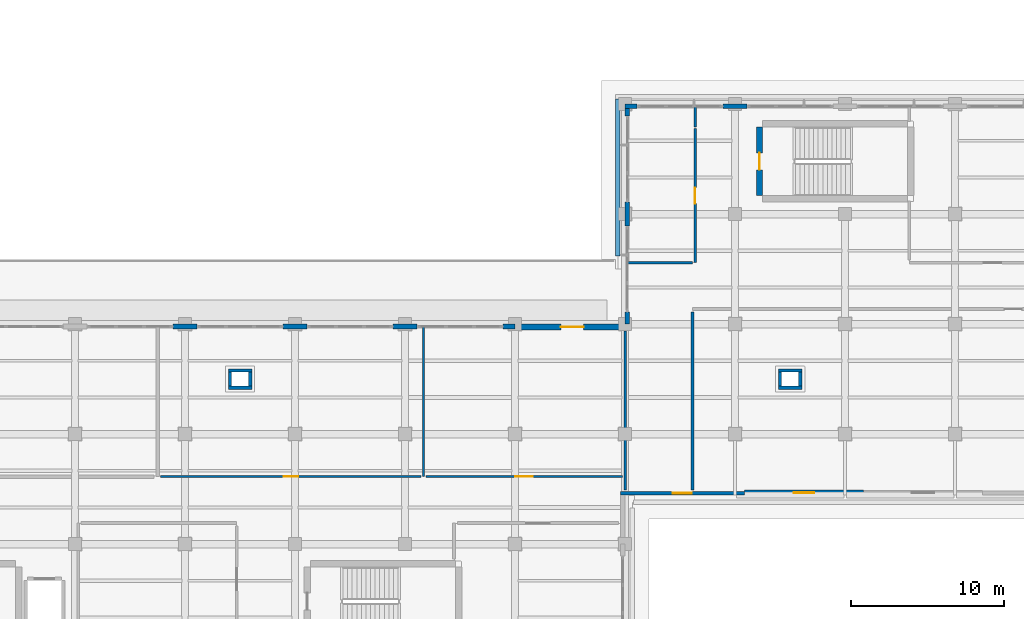
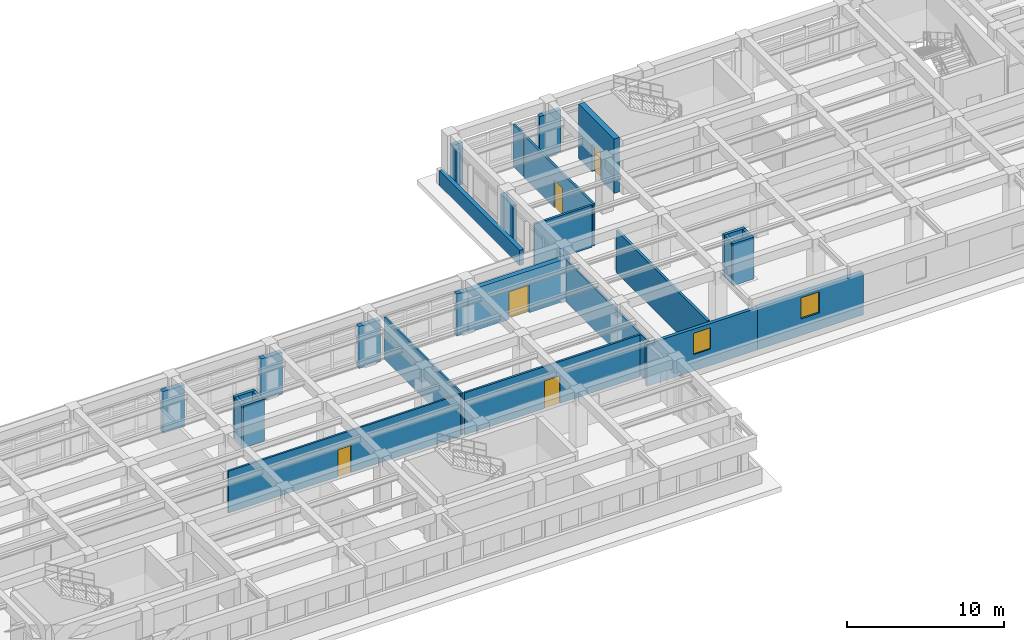
# One storey, part 84 of 98: 30 walls, 5 doors, 2 windows, 7 openings.
"""IFC4 building model written with IfcOpenShell, lengths in metres."""

from ifc_helpers import new_model, si_unit, direction, frame, frame_2d, origin, place, context, subcontext, project, spatial, rectangle, extrude, material, layer, layer_set, type_object, element, fill, save


model = new_model("IFC4")

# Units and contexts
model_context = context("Model", 3, precision=1e-05, world=origin(), true_north=direction((0.0, 1.0)))
body_context = subcontext(model_context, "Body", "Model", "MODEL_VIEW")
ifc_project = project(units=[si_unit("LENGTHUNIT", "METRE"), si_unit("AREAUNIT", "SQUARE_METRE"), si_unit("VOLUMEUNIT", "CUBIC_METRE"), si_unit("PLANEANGLEUNIT", "RADIAN"), si_unit("MASSUNIT", "GRAM", prefix="KILO")], contexts=[model_context])

# Site, building, storey
site_placement = place(None, origin())
site = spatial("IfcSite", under=ifc_project, at=site_placement, CompositionType="ELEMENT")
building_placement = place(site_placement, origin())
building = spatial("IfcBuilding", under=site, at=building_placement, Name="Solenvale Faculty of Natural Sciences", CompositionType="ELEMENT")
storey_placement = place(building_placement, frame((0.0, 0.0, 9.0)))
storey = spatial("IfcBuildingStorey", under=building, at=storey_placement, Name="L02", CompositionType="ELEMENT", Elevation=9.0)

# Walls
ifc_material_1 = material(Name="Architectural bronze concrete 40 MPa", Category="concrete")
ifc_layer_1 = layer(ifc_material_1, 0.300048828125)
ifc_layer_set_1 = layer_set([ifc_layer_1], Name="Architectural bronze concrete 40 MPa")
wall_type_1 = type_object("IfcWallType", Name="WL-EXT-BRZ-300", PredefinedType="STANDARD", material=ifc_layer_set_1)
wall_1_placement = place(storey_placement, frame((114.72998046875, 47.669921875, 0.0), z_axis=(0.0, 0.0, 1.0), x_axis=(0.0, 1.0, 0.0)))
element("IfcWall", 1, at=wall_1_placement, inside=storey, type_object=wall_type_1, Name="L02 Sliding-Tray Rough Bronze Concrete Band 1", PredefinedType="PARAPET", context=body_context, shape_type="SweptSolid", body=[
    extrude(rectangle(XDim=10.2490234375, YDim=0.300048828125, at=frame_2d((5.12451171875, 0.0))), origin(), (0.0, 0.0, 1.0), 1.179931640625),
])
ifc_layer_2 = layer(ifc_material_1, 0.324951171875)
ifc_layer_set_2 = layer_set([ifc_layer_2], Name="Architectural bronze concrete 40 MPa")
wall_type_2 = type_object("IfcWallType", Name="WL-EXT-BRZ-325", PredefinedType="STANDARD", material=ifc_layer_set_2)
wall_2_placement = place(storey_placement, frame((108.0, 43.03759765625, 0.0), z_axis=(0.0, 0.0, 1.0), x_axis=(-1.0, 0.0, 0.0)))
element("IfcWall", 2, at=wall_2_placement, inside=storey, type_object=wall_type_2, Name="L02 Facade Closure Pier 6.B2-L", PredefinedType="STANDARD", context=body_context, shape_type="SweptSolid", body=[
    extrude(rectangle(XDim=0.7880859375, YDim=0.324951171875, at=frame_2d((0.39404296875, 0.0))), origin(), (0.0, 0.0, 1.0), 3.260009765625),
])
for number, where, z_axis, x_axis, name in (
    (3, (101.587890625, 43.03759765625, 0.0), (0.0, 0.0, 1.0), (-1.0, 0.0, 0.0), "L02 Facade Closure Pier 6.B2-R"),
    (4, (94.387939453125, 43.03759765625, 0.0), (0.0, 0.0, 1.0), (-1.0, 0.0, 0.0), "L02 Facade Closure Pier 6.B3-R"),
    (5, (87.18798828125, 43.03759765625, 0.0), (0.0, 0.0, 1.0), (-1.0, 0.0, 0.0), "L02 Facade Closure Pier 6.B4-R"),
):
    element("IfcWall", number, at=place(storey_placement, frame(where, z_axis=z_axis, x_axis=x_axis)), inside=storey, type_object=wall_type_2, Name=name, PredefinedType="STANDARD", context=body_context, shape_type="SweptSolid", body=[
        extrude(rectangle(XDim=1.575927734375, YDim=0.324951171875, at=frame_2d((0.7880859375, 0.0))), origin(), (0.0, 0.0, 1.0), 3.260009765625),
    ])

# Wall, opening, door
ifc_layer_3 = layer(ifc_material_1, 0.375)
ifc_layer_set_3 = layer_set([ifc_layer_3], Name="Architectural bronze concrete 40 MPa")
wall_type_3 = type_object("IfcWallType", Name="WL-EXT-BRZ-375", PredefinedType="STANDARD", material=ifc_layer_set_3)
wall_3_placement = place(storey_placement, frame((108.0, 43.012451171875, 0.0), z_axis=(0.0, 0.0, 1.0), x_axis=(1.0, 0.0, 0.0)))
wall_3 = element("IfcWall", 6, at=wall_3_placement, inside=storey, type_object=wall_type_3, Name="L02 Exterior Wall 6.1", PredefinedType="STANDARD", context=body_context, shape_type="SweptSolid", body=[
    extrude(rectangle(XDim=7.485107421875, YDim=0.375, at=frame_2d((3.74267578125, 0.0))), origin(), (0.0, 0.0, 1.0), 3.260009765625),
])
opening_1_placement = place(wall_3_placement, frame((2.991943359375, 0.0, 0.0)))
opening_1 = element("IfcOpeningElement", 7, at=opening_1_placement, cuts=wall_3, Name="Opening TD-38", PredefinedType="OPENING", context=body_context, shape_type="SweptSolid", body=[
    extrude(rectangle(XDim=1.5, YDim=2.14990234375, at=frame_2d((0.75, 1.074951171875))), frame((0.0, 0.197509765625, 0.0), z_axis=(0.0, -1.0, 0.0), x_axis=(1.0, 0.0, 0.0)), (0.0, 0.0, 1.0), 0.39501953125),
])
ifc_material_2 = material(Name="Anodised bronze aluminium", Category="aluminium")
door_type_1 = type_object("IfcDoorType", Name="DR-TER-1500x2150", OperationType="NOTDEFINED", PredefinedType="DOOR", material=ifc_material_2)
door_1_placement = place(opening_1_placement, origin())
door_1 = element("IfcDoor", 8, at=door_1_placement, inside=storey, type_object=door_type_1, Name="L02 Exterior Terrace Door TD-38", OperationType="DOUBLE_DOOR_SINGLE_SWING", OverallHeight=2.14990234375, OverallWidth=1.5, PredefinedType="DOOR", context=body_context, shape_type="SweptSolid", body=[
    extrude(rectangle(XDim=1.5, YDim=2.14990234375, at=frame_2d((0.75, 1.074951171875))), frame((0.0, 0.02490234375, 0.0), z_axis=(0.0, -1.0, 0.0), x_axis=(1.0, 0.0, 0.0)), (0.0, 0.0, 1.0), 0.050048828125),
])
fill(opening_1, door_1)

# Wall, opening, window
ifc_material_3 = material(Name="Precast concrete 40 MPa", Category="concrete")
ifc_layer_4 = layer(ifc_material_3, 0.2451171875)
ifc_layer_set_4 = layer_set([ifc_layer_4], Name="Precast concrete 40 MPa")
wall_type_4 = type_object("IfcWallType", Name="WL-EXT-PRC-245", PredefinedType="STANDARD", material=ifc_layer_set_4)
wall_4_placement = place(storey_placement, frame((123.0, 32.12255859375, 0.0), z_axis=(0.0, 0.0, 1.0), x_axis=(-1.0, 0.0, 0.0)))
wall_4 = element("IfcWall", 9, at=wall_4_placement, inside=storey, type_object=wall_type_4, Name="L02 Exterior Wall 2.1", PredefinedType="STANDARD", context=body_context, shape_type="SweptSolid", body=[
    extrude(rectangle(XDim=8.10498046875, YDim=0.2451171875, at=frame_2d((4.052490234375, 0.0))), origin(), (0.0, 0.0, 1.0), 3.260009765625),
])
opening_2_placement = place(wall_4_placement, frame((3.427978515625, 0.0, 1.280029296875)))
opening_2 = element("IfcOpeningElement", 10, at=opening_2_placement, cuts=wall_4, Name="Opening WN-17", PredefinedType="OPENING", context=body_context, shape_type="SweptSolid", body=[
    extrude(rectangle(XDim=1.25, YDim=1.64990234375, at=frame_2d((0.625, 0.824951171875))), frame((0.0, 0.132568359375, 0.0), z_axis=(0.0, -1.0, 0.0), x_axis=(1.0, 0.0, 0.0)), (0.0, 0.0, 1.0), 0.26513671875),
])
ifc_material_4 = material(Name="Triple low-E insulated glass", Category="glass")
window_type_1 = type_object("IfcWindowType", Name="WN-1250x1650", PartitioningType="SINGLE_PANEL", PredefinedType="WINDOW", material=ifc_material_4)
window_1_placement = place(opening_2_placement, origin())
window_1 = element("IfcWindow", 11, at=window_1_placement, inside=storey, type_object=window_type_1, Name="L02 Window 2.1", OverallHeight=1.64990234375, OverallWidth=1.25, PartitioningType="SINGLE_PANEL", PredefinedType="WINDOW", context=body_context, shape_type="SweptSolid", body=[
    extrude(rectangle(XDim=1.25, YDim=1.64990234375, at=frame_2d((0.625, 0.824951171875))), frame((0.0, 0.030029296875, 0.0), z_axis=(0.0, -1.0, 0.0), x_axis=(1.0, 0.0, 0.0)), (0.0, 0.0, 1.0), 0.06005859375),
])
fill(opening_2, window_1)

# Walls
ifc_layer_5 = layer(ifc_material_3, 0.284912109375)
ifc_layer_set_5 = layer_set([ifc_layer_5], Name="Precast concrete 40 MPa")
wall_type_5 = type_object("IfcWallType", Name="WL-EXT-PRC-285", PredefinedType="STANDARD", material=ifc_layer_set_5)
wall_5_placement = place(storey_placement, frame((123.18798828125, 57.45751953125, 0.0), z_axis=(0.0, 0.0, 1.0), x_axis=(-1.0, 0.0, 0.0)))
element("IfcWall", 12, at=wall_5_placement, inside=storey, type_object=wall_type_5, Name="L02 Facade Closure Pier 4.B6-R", PredefinedType="STANDARD", context=body_context, shape_type="SweptSolid", body=[
    extrude(rectangle(XDim=1.575927734375, YDim=0.284912109375, at=frame_2d((0.7880859375, 0.0))), origin(), (0.0, 0.0, 1.0), 3.260009765625),
])
wall_6_placement = place(storey_placement, frame((115.988037109375, 57.45751953125, 0.0), z_axis=(0.0, 0.0, 1.0), x_axis=(-1.0, 0.0, 0.0)))
element("IfcWall", 13, at=wall_6_placement, inside=storey, type_object=wall_type_5, Name="L02 Facade Closure Pier 4.B7-R", PredefinedType="STANDARD", context=body_context, shape_type="SweptSolid", body=[
    extrude(rectangle(XDim=0.7880859375, YDim=0.284912109375, at=frame_2d((0.39404296875, 0.0))), origin(), (0.0, 0.0, 1.0), 3.260009765625),
])
wall_7_placement = place(storey_placement, frame((115.342529296875, 57.31494140625, 0.0), z_axis=(0.0, 0.0, 1.0), x_axis=(0.0, -1.0, 0.0)))
element("IfcWall", 14, at=wall_7_placement, inside=storey, type_object=wall_type_5, Name="L02 Facade Closure Pier 5.B1-L", PredefinedType="STANDARD", context=body_context, shape_type="SweptSolid", body=[
    extrude(rectangle(XDim=0.5029296875, YDim=0.284912109375, at=frame_2d((0.25146484375, 0.0))), origin(), (0.0, 0.0, 1.0), 3.260009765625),
])
wall_8_placement = place(storey_placement, frame((115.342529296875, 51.18798828125, 0.0), z_axis=(0.0, 0.0, 1.0), x_axis=(0.0, -1.0, 0.0)))
element("IfcWall", 15, at=wall_8_placement, inside=storey, type_object=wall_type_5, Name="L02 Facade Closure Pier 5.B1-R", PredefinedType="STANDARD", context=body_context, shape_type="SweptSolid", body=[
    extrude(rectangle(XDim=1.575927734375, YDim=0.284912109375, at=frame_2d((0.7880859375, 0.0))), origin(), (0.0, 0.0, 1.0), 3.260009765625),
])
wall_9_placement = place(storey_placement, frame((115.342529296875, 43.988037109375, 0.0), z_axis=(0.0, 0.0, 1.0), x_axis=(0.0, -1.0, 0.0)))
element("IfcWall", 16, at=wall_9_placement, inside=storey, type_object=wall_type_5, Name="L02 Facade Closure Pier 5.B2-R", PredefinedType="STANDARD", context=body_context, shape_type="SweptSolid", body=[
    extrude(rectangle(XDim=0.7880859375, YDim=0.284912109375, at=frame_2d((0.39404296875, 0.0))), origin(), (0.0, 0.0, 1.0), 3.260009765625),
])

# Wall, opening, window
ifc_layer_6 = layer(ifc_material_3, 0.330078125)
ifc_layer_set_6 = layer_set([ifc_layer_6], Name="Precast concrete 40 MPa")
wall_type_6 = type_object("IfcWallType", Name="WL-EXT-PRC-330", PredefinedType="STANDARD", material=ifc_layer_set_6)
wall_10_placement = place(storey_placement, frame((130.800048828125, 32.1650390625, 0.0), z_axis=(0.0, 0.0, 1.0), x_axis=(-1.0, 0.0, 0.0)))
wall_10 = element("IfcWall", 17, at=wall_10_placement, inside=storey, type_object=wall_type_6, Name="L02 Exterior Wall 2.2", PredefinedType="STANDARD", context=body_context, shape_type="SweptSolid", body=[
    extrude(rectangle(XDim=7.800048828125, YDim=0.330078125, at=frame_2d((3.89990234375, 0.0))), origin(), (0.0, 0.0, 1.0), 3.260009765625),
])
opening_3_placement = place(wall_10_placement, frame((3.22509765625, 0.0, 1.280029296875)))
opening_3 = element("IfcOpeningElement", 18, at=opening_3_placement, cuts=wall_10, Name="Opening WN-18", PredefinedType="OPENING", context=body_context, shape_type="SweptSolid", body=[
    extrude(rectangle(XDim=1.35009765625, YDim=1.64990234375, at=frame_2d((0.675048828125, 0.824951171875))), frame((0.0, 0.175048828125, 0.0), z_axis=(0.0, -1.0, 0.0), x_axis=(1.0, 0.0, 0.0)), (0.0, 0.0, 1.0), 0.35009765625),
])
window_type_2 = type_object("IfcWindowType", Name="WN-1350x1650", PartitioningType="SINGLE_PANEL", PredefinedType="WINDOW", material=ifc_material_4)
window_2_placement = place(opening_3_placement, origin())
window_2 = element("IfcWindow", 19, at=window_2_placement, inside=storey, type_object=window_type_2, Name="L02 Window 2.2", OverallHeight=1.64990234375, OverallWidth=1.35009765625, PartitioningType="SINGLE_PANEL", PredefinedType="WINDOW", context=body_context, shape_type="SweptSolid", body=[
    extrude(rectangle(XDim=1.35009765625, YDim=1.64990234375, at=frame_2d((0.675048828125, 0.824951171875))), frame((0.0, 0.030029296875, 0.0), z_axis=(0.0, -1.0, 0.0), x_axis=(1.0, 0.0, 0.0)), (0.0, 0.0, 1.0), 0.06005859375),
])
fill(opening_3, window_2)

# Wall
ifc_material_5 = material(Name="Acoustic stud gypsum partition")
ifc_layer_7 = layer(ifc_material_5, 0.139892578125)
ifc_layer_set_7 = layer_set([ifc_layer_7], Name="Acoustic stud gypsum partition")
wall_type_7 = type_object("IfcWallType", Name="WL-OFF-140", PredefinedType="PARTITIONING", material=ifc_layer_set_7)
wall_11_placement = place(storey_placement, frame((102.0, 42.998046875, 0.0), z_axis=(0.0, 0.0, 1.0), x_axis=(0.0, -1.0, 0.0)))
element("IfcWall", 20, at=wall_11_placement, inside=storey, type_object=wall_type_7, Name="L02 Graduate Research Office Partition 3", PredefinedType="PARTITIONING", context=body_context, shape_type="SweptSolid", body=[
    extrude(rectangle(XDim=9.778076171875, YDim=0.139892578125, at=frame_2d((4.88916015625, 0.0))), origin(), (0.0, 0.0, 1.0), 3.260009765625),
])

# Wall, opening, door
wall_12_placement = place(storey_placement, frame((101.847900390625, 33.219970703125, 0.0), z_axis=(0.0, 0.0, 1.0), x_axis=(-1.0, 0.0, 0.0)))
wall_12 = element("IfcWall", 21, at=wall_12_placement, inside=storey, type_object=wall_type_7, Name="L02 Graduate Research Office Partition 4", PredefinedType="PARTITIONING", context=body_context, shape_type="SweptSolid", body=[
    extrude(rectangle(XDim=17.052001953125, YDim=0.139892578125, at=frame_2d((8.52587890625, 0.0))), origin(), (0.0, 0.0, 1.0), 3.260009765625),
])
opening_4_placement = place(wall_12_placement, frame((8.051025390625, 0.0, 0.0)))
opening_4 = element("IfcOpeningElement", 22, at=opening_4_placement, cuts=wall_12, Name="Opening D-L02-07", PredefinedType="OPENING", context=body_context, shape_type="SweptSolid", body=[
    extrude(rectangle(XDim=0.949951171875, YDim=2.10009765625, at=frame_2d((0.47509765625, 1.050048828125))), frame((0.0, 0.079833984375, 0.0), z_axis=(0.0, -1.0, 0.0), x_axis=(1.0, 0.0, 0.0)), (0.0, 0.0, 1.0), 0.159912109375),
])
ifc_material_6 = material(Name="Oak acoustic timber leaf", Category="wood")
door_type_2 = type_object("IfcDoorType", Name="DR-OFF-0950x2100", OperationType="NOTDEFINED", PredefinedType="DOOR", material=ifc_material_6)
door_2_placement = place(opening_4_placement, origin())
door_2 = element("IfcDoor", 23, at=door_2_placement, inside=storey, type_object=door_type_2, Name="L02 Graduate Research Office Door", OperationType="SINGLE_SWING_RIGHT", OverallHeight=2.10009765625, OverallWidth=0.949951171875, PredefinedType="DOOR", context=body_context, shape_type="SweptSolid", body=[
    extrude(rectangle(XDim=0.949951171875, YDim=2.10009765625, at=frame_2d((0.47509765625, 1.050048828125))), frame((0.0, 0.02490234375, 0.0), z_axis=(0.0, -1.0, 0.0), x_axis=(1.0, 0.0, 0.0)), (0.0, 0.0, 1.0), 0.050048828125),
])
fill(opening_4, door_2)

# Wall
ifc_material_7 = material(Name="Acoustic double-stud gypsum partition")
ifc_layer_8 = layer(ifc_material_7, 0.155029296875)
ifc_layer_set_8 = layer_set([ifc_layer_8], Name="Acoustic double-stud gypsum partition")
wall_type_8 = type_object("IfcWallType", Name="WL-SEM-155", PredefinedType="PARTITIONING", material=ifc_layer_set_8)
wall_13_placement = place(storey_placement, frame((115.199951171875, 42.736083984375, 0.0), z_axis=(0.0, 0.0, 1.0), x_axis=(0.0, -1.0, 0.0)))
element("IfcWall", 24, at=wall_13_placement, inside=storey, type_object=wall_type_8, Name="L02 Seminar Room Partition 3", PredefinedType="PARTITIONING", context=body_context, shape_type="SweptSolid", body=[
    extrude(rectangle(XDim=10.401123046875, YDim=0.155029296875, at=frame_2d((5.20068359375, 0.0))), origin(), (0.0, 0.0, 1.0), 3.260009765625),
])

# Wall, opening, door
wall_14_placement = place(storey_placement, frame((115.032958984375, 33.219970703125, 0.0), z_axis=(0.0, 0.0, 1.0), x_axis=(-1.0, 0.0, 0.0)))
wall_14 = element("IfcWall", 25, at=wall_14_placement, inside=storey, type_object=wall_type_8, Name="L02 Seminar Room Partition 4", PredefinedType="PARTITIONING", context=body_context, shape_type="SweptSolid", body=[
    extrude(rectangle(XDim=12.8740234375, YDim=0.155029296875, at=frame_2d((6.43701171875, 0.0))), origin(), (0.0, 0.0, 1.0), 3.260009765625),
])
opening_5_placement = place(wall_14_placement, frame((5.862060546875, 0.0, 0.0)))
opening_5 = element("IfcOpeningElement", 26, at=opening_5_placement, cuts=wall_14, Name="Opening D-L02-08", PredefinedType="OPENING", context=body_context, shape_type="SweptSolid", body=[
    extrude(rectangle(XDim=1.14990234375, YDim=2.14990234375, at=frame_2d((0.574951171875, 1.074951171875))), frame((0.0, 0.08740234375, 0.0), z_axis=(0.0, -1.0, 0.0), x_axis=(1.0, 0.0, 0.0)), (0.0, 0.0, 1.0), 0.175048828125),
])
door_type_3 = type_object("IfcDoorType", Name="DR-SEM-1150x2150", OperationType="NOTDEFINED", PredefinedType="DOOR", material=ifc_material_6)
door_3_placement = place(opening_5_placement, origin())
door_3 = element("IfcDoor", 27, at=door_3_placement, inside=storey, type_object=door_type_3, Name="L02 Seminar Room Door", OperationType="SINGLE_SWING_LEFT", OverallHeight=2.14990234375, OverallWidth=1.14990234375, PredefinedType="DOOR", context=body_context, shape_type="SweptSolid", body=[
    extrude(rectangle(XDim=1.14990234375, YDim=2.14990234375, at=frame_2d((0.574951171875, 1.074951171875))), frame((0.0, 0.02490234375, 0.0), z_axis=(0.0, -1.0, 0.0), x_axis=(1.0, 0.0, 0.0)), (0.0, 0.0, 1.0), 0.050048828125),
])
fill(opening_5, door_3)

ifc_layer_9 = layer(ifc_material_7, 0.1650390625)
ifc_layer_set_9 = layer_set([ifc_layer_9], Name="Acoustic double-stud gypsum partition")
wall_type_9 = type_object("IfcWallType", Name="WL-SEM-165", PredefinedType="PARTITIONING", material=ifc_layer_set_9)
wall_15_placement = place(storey_placement, frame((119.780029296875, 56.0, 0.0), z_axis=(0.0, 0.0, 1.0), x_axis=(0.0, -1.0, 0.0)))
wall_15 = element("IfcWall", 28, at=wall_15_placement, inside=storey, type_object=wall_type_9, Name="L02 Learning Commons Partition 16", PredefinedType="PARTITIONING", context=body_context, shape_type="SweptSolid", body=[
    extrude(rectangle(XDim=8.780029296875, YDim=0.1650390625, at=frame_2d((4.39013671875, 0.0))), origin(), (0.0, 0.0, 1.0), 3.260009765625),
])
opening_6_placement = place(wall_15_placement, frame((3.864990234375, 0.0, 0.0)))
opening_6 = element("IfcOpeningElement", 29, at=opening_6_placement, cuts=wall_15, Name="Opening D-L02-11", PredefinedType="OPENING", context=body_context, shape_type="SweptSolid", body=[
    extrude(rectangle(XDim=1.050048828125, YDim=2.14990234375, at=frame_2d((0.52490234375, 1.074951171875))), frame((0.0, 0.092529296875, 0.0), z_axis=(0.0, -1.0, 0.0), x_axis=(1.0, 0.0, 0.0)), (0.0, 0.0, 1.0), 0.18505859375),
])
door_type_4 = type_object("IfcDoorType", Name="DR-SEM-1050x2150", OperationType="NOTDEFINED", PredefinedType="DOOR", material=ifc_material_6)
door_4_placement = place(opening_6_placement, origin())
door_4 = element("IfcDoor", 30, at=door_4_placement, inside=storey, type_object=door_type_4, Name="L02 Learning Commons Door", OperationType="SINGLE_SWING_RIGHT", OverallHeight=2.14990234375, OverallWidth=1.050048828125, PredefinedType="DOOR", context=body_context, shape_type="SweptSolid", body=[
    extrude(rectangle(XDim=1.050048828125, YDim=2.14990234375, at=frame_2d((0.52490234375, 1.074951171875))), frame((0.0, 0.02490234375, 0.0), z_axis=(0.0, -1.0, 0.0), x_axis=(1.0, 0.0, 0.0)), (0.0, 0.0, 1.0), 0.050048828125),
])
fill(opening_6, door_4)

# Walls
wall_16_placement = place(storey_placement, frame((119.60302734375, 47.219970703125, 0.0), z_axis=(0.0, 0.0, 1.0), x_axis=(-1.0, 0.0, 0.0)))
element("IfcWall", 31, at=wall_16_placement, inside=storey, type_object=wall_type_9, Name="L02 Learning Commons Partition 17", PredefinedType="PARTITIONING", context=body_context, shape_type="SweptSolid", body=[
    extrude(rectangle(XDim=4.219970703125, YDim=0.1650390625, at=frame_2d((2.10986328125, 0.0))), origin(), (0.0, 0.0, 1.0), 3.260009765625),
])
wall_17_placement = place(storey_placement, frame((119.800048828125, 57.41796875, 0.0), z_axis=(0.0, 0.0, 1.0), x_axis=(0.0, -1.0, 0.0)))
element("IfcWall", 32, at=wall_17_placement, inside=storey, type_object=wall_type_9, Name="L02 Learning Commons Partition 20", PredefinedType="PARTITIONING", context=body_context, shape_type="SweptSolid", body=[
    extrude(rectangle(XDim=1.323974609375, YDim=0.1650390625, at=frame_2d((0.662109375, 0.0))), origin(), (0.0, 0.0, 1.0), 3.260009765625),
])
ifc_layer_10 = layer(ifc_material_7, 0.179931640625)
ifc_layer_set_10 = layer_set([ifc_layer_10], Name="Acoustic double-stud gypsum partition")
wall_type_10 = type_object("IfcWallType", Name="WL-SEM-180", PredefinedType="PARTITIONING", material=ifc_layer_set_10)
wall_18_placement = place(storey_placement, frame((119.6201171875, 32.346923828125, 0.0), z_axis=(0.0, 0.0, 1.0), x_axis=(0.0, 1.0, 0.0)))
element("IfcWall", 33, at=wall_18_placement, inside=storey, type_object=wall_type_10, Name="L02 Learning Commons South Reading Hall Partition 4", PredefinedType="PARTITIONING", context=body_context, shape_type="SweptSolid", body=[
    extrude(rectangle(XDim=11.64111328125, YDim=0.179931640625, at=frame_2d((5.820556640625, 0.0))), origin(), (0.0, 0.0, 1.0), 3.260009765625),
])
ifc_material_8 = material(Name="Concrete 40 MPa", Category="concrete")
ifc_layer_11 = layer(ifc_material_8, 0.219970703125)
ifc_layer_set_11 = layer_set([ifc_layer_11], Name="Concrete 40 MPa")
wall_type_11 = type_object("IfcWallType", Name="WL-SHF-220", PredefinedType="STANDARD", material=ifc_layer_set_11)
for number, where, z_axis, x_axis, name in (
    (34, (89.22998046875, 39.0400390625, 0.0), (0.0, 0.0, 1.0), (1.0, 0.0, 0.0), "L02 Service Riser Shaft 3 Wall S"),
    (35, (89.22998046875, 40.159912109375, 0.0), (0.0, 0.0, 1.0), (1.0, 0.0, 0.0), "L02 Service Riser Shaft 3 Wall N"),
):
    element("IfcWall", number, at=place(storey_placement, frame(where, z_axis=z_axis, x_axis=x_axis)), inside=storey, type_object=wall_type_11, Name=name, PredefinedType="STANDARD", context=body_context, shape_type="SweptSolid", body=[
        extrude(rectangle(XDim=1.5400390625, YDim=0.219970703125, at=frame_2d((0.77001953125, 0.0))), origin(), (0.0, 0.0, 1.0), 3.260009765625),
    ])
for number, where, z_axis, x_axis, name in (
    (36, (89.340087890625, 39.14990234375, 0.0), (0.0, 0.0, 1.0), (0.0, 1.0, 0.0), "L02 Service Riser Shaft 3 Wall W"),
    (37, (90.659912109375, 39.14990234375, 0.0), (0.0, 0.0, 1.0), (0.0, 1.0, 0.0), "L02 Service Riser Shaft 3 Wall E"),
):
    element("IfcWall", number, at=place(storey_placement, frame(where, z_axis=z_axis, x_axis=x_axis)), inside=storey, type_object=wall_type_11, Name=name, PredefinedType="STANDARD", context=body_context, shape_type="SweptSolid", body=[
        extrude(rectangle(XDim=0.900146484375, YDim=0.219970703125, at=frame_2d((0.4501953125, 0.0))), origin(), (0.0, 0.0, 1.0), 3.260009765625),
    ])
for number, where, z_axis, x_axis, name in (
    (38, (125.22998046875, 39.0400390625, 0.0), (0.0, 0.0, 1.0), (1.0, 0.0, 0.0), "L02 Service Riser Shaft 4 Wall S"),
    (39, (125.22998046875, 40.159912109375, 0.0), (0.0, 0.0, 1.0), (1.0, 0.0, 0.0), "L02 Service Riser Shaft 4 Wall N"),
):
    element("IfcWall", number, at=place(storey_placement, frame(where, z_axis=z_axis, x_axis=x_axis)), inside=storey, type_object=wall_type_11, Name=name, PredefinedType="STANDARD", context=body_context, shape_type="SweptSolid", body=[
        extrude(rectangle(XDim=1.5400390625, YDim=0.219970703125, at=frame_2d((0.77001953125, 0.0))), origin(), (0.0, 0.0, 1.0), 3.260009765625),
    ])
for number, where, z_axis, x_axis, name in (
    (40, (125.340087890625, 39.14990234375, 0.0), (0.0, 0.0, 1.0), (0.0, 1.0, 0.0), "L02 Service Riser Shaft 4 Wall W"),
    (41, (126.659912109375, 39.14990234375, 0.0), (0.0, 0.0, 1.0), (0.0, 1.0, 0.0), "L02 Service Riser Shaft 4 Wall E"),
):
    element("IfcWall", number, at=place(storey_placement, frame(where, z_axis=z_axis, x_axis=x_axis)), inside=storey, type_object=wall_type_11, Name=name, PredefinedType="STANDARD", context=body_context, shape_type="SweptSolid", body=[
        extrude(rectangle(XDim=0.900146484375, YDim=0.219970703125, at=frame_2d((0.4501953125, 0.0))), origin(), (0.0, 0.0, 1.0), 3.260009765625),
    ])

# Wall, opening, door
ifc_material_9 = material(Name="Concrete 50 MPa", Category="concrete")
ifc_layer_12 = layer(ifc_material_9, 0.409912109375)
ifc_layer_set_12 = layer_set([ifc_layer_12], Name="Concrete 50 MPa")
wall_type_12 = type_object("IfcWallType", Name="WL-SHR-410", PredefinedType="SHEAR", material=ifc_layer_set_12)
wall_19_placement = place(storey_placement, frame((123.9951171875, 51.60009765625, 0.0), z_axis=(0.0, 0.0, 1.0), x_axis=(0.0, 1.0, 0.0)))
wall_19 = element("IfcWall", 42, at=wall_19_placement, inside=storey, type_object=wall_type_12, Name="Core C2B L02 Shear Wall W", PredefinedType="SHEAR", context=body_context, shape_type="SweptSolid", body=[
    extrude(rectangle(XDim=4.5, YDim=0.409912109375, at=frame_2d((2.25, 0.0))), origin(), (0.0, 0.0, 1.0), 4.219970703125),
])
opening_7_placement = place(wall_19_placement, frame((1.699951171875, 0.0, 0.0)))
opening_7 = element("IfcOpeningElement", 43, at=opening_7_placement, cuts=wall_19, Name="Opening DS-C2B-L02", PredefinedType="OPENING", context=body_context, shape_type="SweptSolid", body=[
    extrude(rectangle(XDim=1.10009765625, YDim=2.14990234375, at=frame_2d((0.550048828125, 1.074951171875))), frame((0.0, 0.21484375, 0.0), z_axis=(0.0, -1.0, 0.0), x_axis=(1.0, 0.0, 0.0)), (0.0, 0.0, 1.0), 0.429931640625),
])
ifc_material_10 = material(Name="Galvanised steel S355", Category="steel")
door_type_5 = type_object("IfcDoorType", Name="DR-STAIR-1100x2150", OperationType="NOTDEFINED", PredefinedType="DOOR", material=ifc_material_10)
door_5_placement = place(opening_7_placement, origin())
door_5 = element("IfcDoor", 44, at=door_5_placement, inside=storey, type_object=door_type_5, Name="L02 Stair ST-08 Fire Door", OperationType="SINGLE_SWING_RIGHT", OverallHeight=2.14990234375, OverallWidth=1.10009765625, PredefinedType="DOOR", context=body_context, shape_type="SweptSolid", body=[
    extrude(rectangle(XDim=1.10009765625, YDim=2.14990234375, at=frame_2d((0.550048828125, 1.074951171875))), frame((0.0, 0.02490234375, 0.0), z_axis=(0.0, -1.0, 0.0), x_axis=(1.0, 0.0, 0.0)), (0.0, 0.0, 1.0), 0.050048828125),
])
fill(opening_7, door_5)

save(model, "model.ifc")
